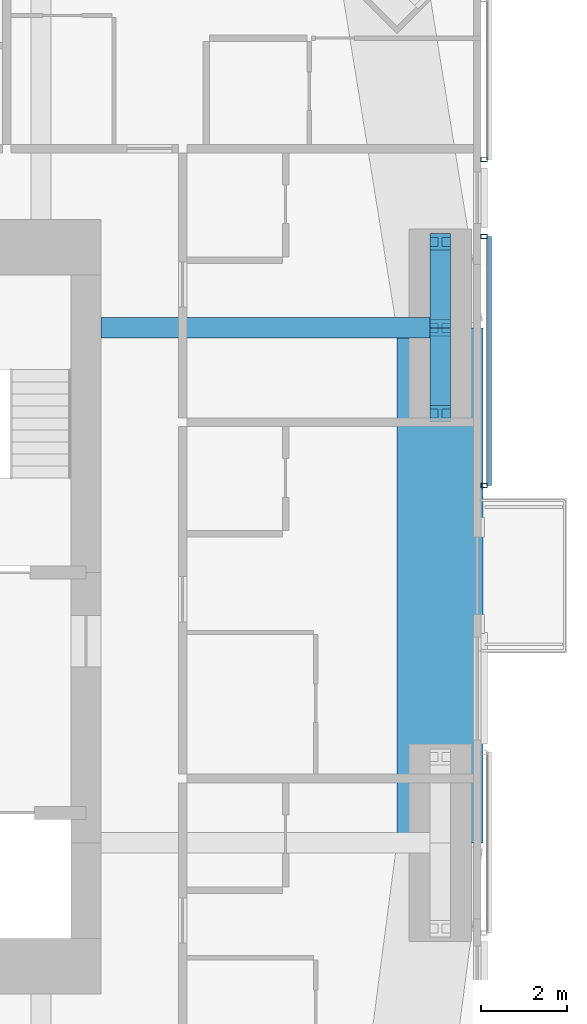
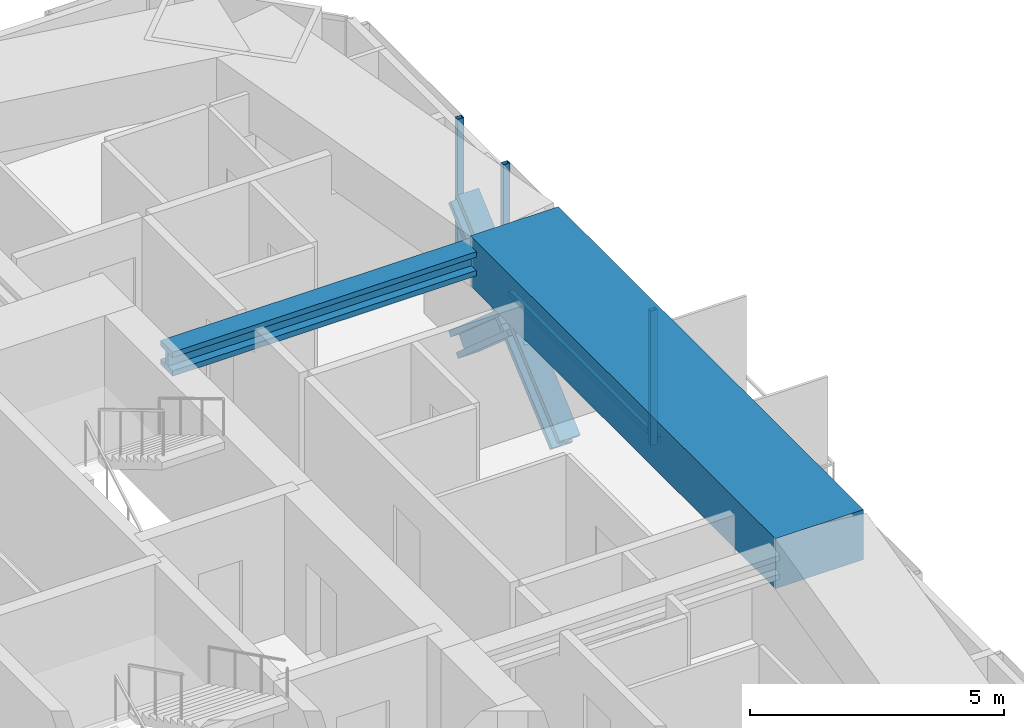
# One storey, part 8 of 22: 8 members, 2 beams, 2 elements without a shape of their own.
"""IFC4 building model written with IfcOpenShell, lengths in metres."""

from ifc_helpers import new_model, si_unit, direction, frame, origin, origin_2d, place, context, subcontext, project, spatial, rectangle, hollow_rectangle, i_section, extrude, material, material_profile, profile_set, type_object, element, aggregate, save


model = new_model("IFC4")

# Units and contexts
model_context = context("Model", 3, precision=1e-05, world=origin(), true_north=direction((0.0, 1.0)))
body_context = subcontext(model_context, "Body", "Model", "MODEL_VIEW")
ifc_project = project(units=[si_unit("LENGTHUNIT", "METRE"), si_unit("AREAUNIT", "SQUARE_METRE"), si_unit("VOLUMEUNIT", "CUBIC_METRE"), si_unit("PLANEANGLEUNIT", "RADIAN"), si_unit("MASSUNIT", "GRAM", prefix="KILO")], contexts=[model_context])

# Site, building, storey
site_placement = place(None, origin())
site = spatial("IfcSite", under=ifc_project, at=site_placement, CompositionType="ELEMENT")
building_placement = place(site_placement, origin())
building = spatial("IfcBuilding", under=site, at=building_placement, Name="Jalousie Tower", CompositionType="ELEMENT")
storey_placement = place(building_placement, frame((0.0, 0.0, 154.35009765625)))
storey = spatial("IfcBuildingStorey", under=building, at=storey_placement, Name="L41", CompositionType="ELEMENT", Elevation=154.35009765625)

# Beam
ifc_material_1 = material(Name="Steel ASTM A992 Grade 50", Category="steel")
ifc_material_profile_1 = material_profile(ifc_material_1, i_section(OverallWidth=0.472412109375, OverallDepth=0.5791015625, WebThickness=0.094970703125, FlangeThickness=0.1298828125, at=origin_2d()), Name="W14X808")
ifc_profile_set_1 = profile_set([ifc_material_profile_1], Name="Steel ASTM A992 Grade 50")
beam_type_1 = type_object("IfcBeamType", Name="LEAN COLLECTOR W14X808", PredefinedType="BEAM", material=ifc_profile_set_1)
beam_1_placement = place(storey_placement, frame((52.050048828125, 25.0, 2.8203125), z_axis=(-1.0, 0.0, 0.0), x_axis=(0.0, -1.0, 0.0)))
element("IfcBeam", 1, at=beam_1_placement, inside=storey, type_object=beam_type_1, Name="Lean collector under L42", PredefinedType="BEAM", context=body_context, shape_type="SweptSolid", body=[
    extrude(i_section(OverallWidth=0.472412109375, OverallDepth=0.5791015625, WebThickness=0.094970703125, FlangeThickness=0.1298828125, at=origin_2d()), origin(), (0.0, 0.0, 1.0), 7.900146484375),
])

# Members
ifc_material_2 = material(Name="Steel ASTM A992 Grade 50", Category="steel")
ifc_material_profile_2 = material_profile(ifc_material_2, i_section(OverallWidth=0.472412109375, OverallDepth=0.5791015625, WebThickness=0.094970703125, FlangeThickness=0.1298828125, at=origin_2d()), Name="W14X808")
ifc_profile_set_2 = profile_set([ifc_material_profile_2], Name="Steel ASTM A992 Grade 50")
member_type_1 = type_object("IfcMemberType", Name="PERIMETER BRACE W14X808", PredefinedType="BRACE", material=ifc_profile_set_2)
for number, where, z_axis, x_axis, name in (
    (2, (52.050048828125, 23.0, -0.75), (0.0, 0.752576694707, 0.658504607869), (-1.0, 0.0, 0.0), "Perimeter brace 07 L41 part 1"),
    (3, (52.050048828125, 25.0, 1.0), (0.0, 0.752576694707, 0.658504607869), (-1.0, 0.0, 0.0), "Perimeter brace 07 L41 part 2"),
    (4, (52.050048828125, 27.0, -0.75), (0.0, -0.752576694707, 0.658504607869), (1.0, 0.0, 0.0), "Perimeter brace 07 L41 part 3"),
    (5, (52.050048828125, 25.0, 1.0), (0.0, -0.752576694707, 0.658504607869), (1.0, 0.0, 0.0), "Perimeter brace 07 L41 part 4"),
):
    element("IfcMember", number, at=place(storey_placement, frame(where, z_axis=z_axis, x_axis=x_axis)), inside=storey, type_object=member_type_1, Name=name, PredefinedType="BRACE", context=body_context, shape_type="SweptSolid", body=[
        extrude(i_section(OverallWidth=0.472412109375, OverallDepth=0.5791015625, WebThickness=0.094970703125, FlangeThickness=0.1298828125, at=origin_2d()), origin(), (0.0, 0.0, 1.0), 2.657470703125),
    ])

# Beam
ifc_material_3 = material(Name="Concrete f'c 40 MPa", Category="concrete")
ifc_material_profile_3 = material_profile(ifc_material_3, rectangle(XDim=2.0, YDim=1.199951171875, at=origin_2d()), Name="RC 2000x1200")
ifc_profile_set_3 = profile_set([ifc_material_profile_3], Name="Concrete f'c 40 MPa")
beam_type_2 = type_object("IfcBeamType", Name="RC BEAM 2000x1200", PredefinedType="BEAM", material=ifc_profile_set_3)
beam_2_placement = place(storey_placement, frame((52.050048828125, 13.0, 2.75), z_axis=(0.0, 1.0, 0.0), x_axis=(-1.0, 0.0, 0.0)))
element("IfcBeam", 6, at=beam_2_placement, inside=storey, type_object=beam_type_2, Name="Edge band beam 06-07 under L42", PredefinedType="BEAM", context=body_context, shape_type="SweptSolid", body=[
    extrude(rectangle(XDim=2.0, YDim=1.199951171875, at=origin_2d()), origin(), (0.0, 0.0, 1.0), 12.0),
])

# Curtain wall, members
ifc_material_4 = material(Name="Perforated aluminium sheet", Category="aluminium")
curtain_wall_type = type_object("IfcCurtainWallType", Name="SOLAR SCREEN SS-1", PredefinedType="USERDEFINED", material=ifc_material_4)
curtain_wall_1_placement = place(storey_placement, origin())
curtain_wall_1 = element("IfcCurtainWall", 7, at=curtain_wall_1_placement, inside=storey, type_object=curtain_wall_type, Name="Solar screen L41", ObjectType="SOLAR SCREEN SS-1", PredefinedType="USERDEFINED")
ifc_material_5 = material(Name="Steel ASTM A500 Grade C", Category="steel")
ifc_material_profile_4 = material_profile(ifc_material_5, hollow_rectangle(XDim=0.1015625, YDim=0.15234375, WallThickness=0.00634765625, at=origin_2d()), Name="HSS6X4X1/4")
ifc_profile_set_4 = profile_set([ifc_material_profile_4], Name="Steel ASTM A500 Grade C")
member_type_2 = type_object("IfcMemberType", Name="SOLAR SCREEN SS-1 MULLION", PredefinedType="MULLION", material=ifc_profile_set_4)
member_1_placement = place(storey_placement, frame((53.0712890625, 21.324951171875, -0.1201171875), z_axis=(0.0, 0.0, 1.0), x_axis=(0.0, 1.0, 0.0)))
member_1 = element("IfcMember", 8, at=member_1_placement, type_object=member_type_2, Name="SS1 post 1", PredefinedType="MULLION", context=body_context, shape_type="SweptSolid", body=[
    extrude(hollow_rectangle(XDim=0.1015625, YDim=0.15234375, WallThickness=0.00634765625, at=origin_2d()), origin(), (0.0, 0.0, 1.0), 3.22998046875),
])
member_2_placement = place(storey_placement, frame((53.0712890625, 27.12451171875, -0.1201171875), z_axis=(0.0, 0.0, 1.0), x_axis=(0.0, 1.0, 0.0)))
member_2 = element("IfcMember", 9, at=member_2_placement, type_object=member_type_2, Name="SS1 post 2", PredefinedType="MULLION", context=body_context, shape_type="SweptSolid", body=[
    extrude(hollow_rectangle(XDim=0.1015625, YDim=0.15234375, WallThickness=0.00634765625, at=origin_2d()), origin(), (0.0, 0.0, 1.0), 3.22998046875),
])

# Curtain wall, member
curtain_wall_2_placement = place(storey_placement, origin())
curtain_wall_2 = element("IfcCurtainWall", 10, at=curtain_wall_2_placement, inside=storey, type_object=curtain_wall_type, Name="Solar screen L41", ObjectType="SOLAR SCREEN SS-1", PredefinedType="USERDEFINED")
member_3_placement = place(storey_placement, frame((53.0712890625, 28.924560546875, -0.1201171875), z_axis=(0.0, 0.0, 1.0), x_axis=(0.0, 1.0, 0.0)))
member_3 = element("IfcMember", 11, at=member_3_placement, type_object=member_type_2, Name="SS1 post 1", PredefinedType="MULLION", context=body_context, shape_type="SweptSolid", body=[
    extrude(hollow_rectangle(XDim=0.1015625, YDim=0.15234375, WallThickness=0.00634765625, at=origin_2d()), origin(), (0.0, 0.0, 1.0), 3.22998046875),
])
aggregate(curtain_wall_2, [member_3])

# Member
ifc_material_6 = material(Name="Extruded aluminium screen rail", Category="aluminium")
ifc_material_profile_5 = material_profile(ifc_material_6, rectangle(XDim=0.1015625, YDim=0.1201171875, at=origin_2d()), Name="RAIL 102x120")
ifc_profile_set_5 = profile_set([ifc_material_profile_5], Name="Extruded aluminium screen rail")
member_type_3 = type_object("IfcMemberType", Name="SOLAR SCREEN SS-1 TRANSOM", PredefinedType="USERDEFINED", material=ifc_profile_set_5)
member_4_placement = place(storey_placement, frame((53.1982421875, 21.324951171875, -0.06005859375), z_axis=(0.0, 1.0, 0.0), x_axis=(-1.0, 0.0, 0.0)))
member_4 = element("IfcMember", 12, at=member_4_placement, type_object=member_type_3, Name="SS1 rail", ObjectType="TRANSOM", PredefinedType="USERDEFINED", context=body_context, shape_type="SweptSolid", body=[
    extrude(rectangle(XDim=0.1015625, YDim=0.1201171875, at=origin_2d()), origin(), (0.0, 0.0, 1.0), 5.799560546875),
])

aggregate(curtain_wall_1, [member_1, member_2, member_4])

save(model, "model.ifc")
